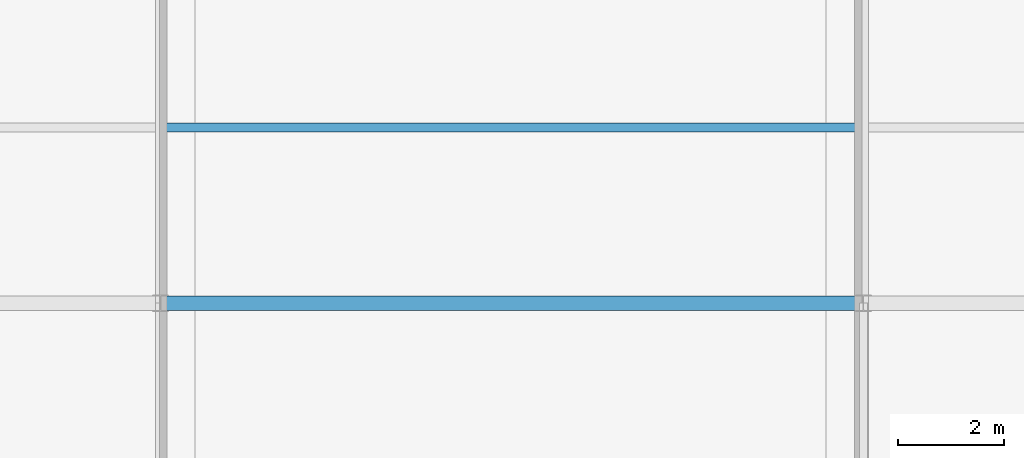
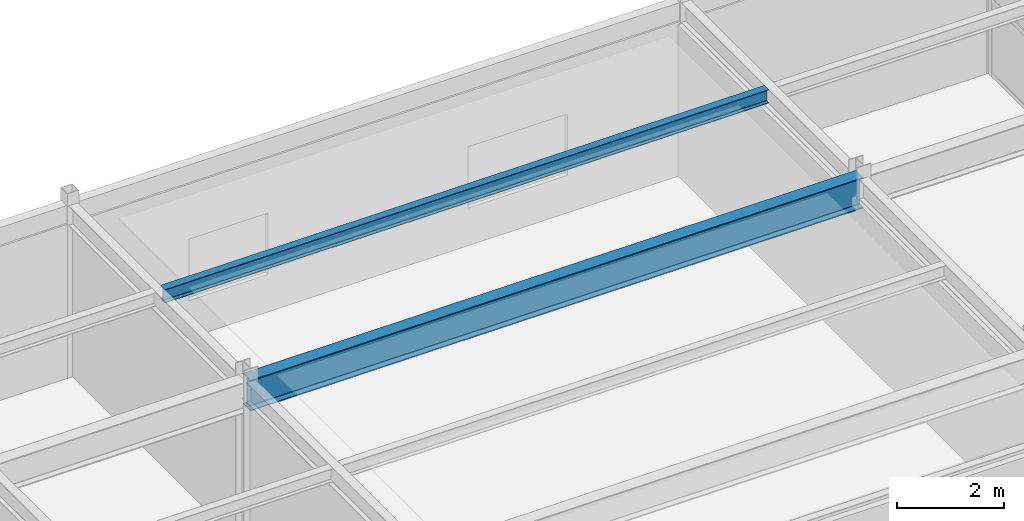
# One storey, part 68 of 147: 2 beams.
"""IFC4 building model written with IfcOpenShell, lengths in metres."""

from ifc_helpers import new_model, si_unit, direction, frame, origin, origin_2d, place, context, subcontext, project, spatial, i_section, extrude, material, material_profile, profile_set, type_object, element, save


model = new_model("IFC4")

# Units and contexts
model_context = context("Model", 3, precision=1e-05, world=origin(), true_north=direction((0.0, 1.0)))
body_context = subcontext(model_context, "Body", "Model", "MODEL_VIEW")
ifc_project = project(units=[si_unit("LENGTHUNIT", "METRE"), si_unit("AREAUNIT", "SQUARE_METRE"), si_unit("VOLUMEUNIT", "CUBIC_METRE"), si_unit("PLANEANGLEUNIT", "RADIAN"), si_unit("MASSUNIT", "GRAM", prefix="KILO")], contexts=[model_context])

# Site, building, storey
site_placement = place(None, origin())
site = spatial("IfcSite", under=ifc_project, at=site_placement, CompositionType="ELEMENT")
building_placement = place(site_placement, origin())
building = spatial("IfcBuilding", under=site, at=building_placement, Name="Karori Crest Natural Sciences Institute", CompositionType="ELEMENT")
storey_placement = place(building_placement, frame((0.0, 0.0, 9.10009765625)))
storey = spatial("IfcBuildingStorey", under=building, at=storey_placement, Name="L02", CompositionType="ELEMENT", Elevation=9.10009765625)

# Beams
ifc_material = material(Name="Structural steel AS/NZS 3679.1 Grade 350", Category="steel")
ifc_material_profile_1 = material_profile(ifc_material, i_section(OverallWidth=0.27490234375, OverallDepth=0.699951171875, WebThickness=0.010009765625, FlangeThickness=0.02001953125, FilletRadius=0.013916015625, at=origin_2d()), Name="700WB150")
ifc_profile_set_1 = profile_set([ifc_material_profile_1], Name="Structural steel AS/NZS 3679.1 Grade 350")
beam_type_1 = type_object("IfcBeamType", Name="BT-03", PredefinedType="BEAM", material=ifc_profile_set_1)
beam_1_placement = place(storey_placement, frame((7.39990234375, 66.800048828125, 3.56982421875), z_axis=(1.0, 0.0, 0.0), x_axis=(0.0, 1.0, 0.0)))
element("IfcBeam", 1, at=beam_1_placement, inside=storey, type_object=beam_type_1, Name="Beam B-1091", PredefinedType="BEAM", context=body_context, shape_type="SweptSolid", body=[
    extrude(i_section(OverallWidth=0.27490234375, OverallDepth=0.699951171875, WebThickness=0.010009765625, FlangeThickness=0.02001953125, FilletRadius=0.013916015625, at=origin_2d()), origin(), (0.0, 0.0, 1.0), 13.2001953125),
])
ifc_material_profile_2 = material_profile(ifc_material, i_section(OverallWidth=0.166015625, OverallDepth=0.306884765625, WebThickness=0.006591796875, FlangeThickness=0.01171875, FilletRadius=0.010986328125, at=origin_2d()), Name="310UB46.2")
ifc_profile_set_2 = profile_set([ifc_material_profile_2], Name="Structural steel AS/NZS 3679.1 Grade 350")
beam_type_2 = type_object("IfcBeamType", Name="BT-09", PredefinedType="BEAM", material=ifc_profile_set_2)
beam_2_placement = place(storey_placement, frame((7.49560546875, 70.10009765625, 3.766357421875), z_axis=(1.0, 0.0, 0.0), x_axis=(0.0, 1.0, 0.0)))
element("IfcBeam", 2, at=beam_2_placement, inside=storey, type_object=beam_type_2, Name="Beam B-1135", PredefinedType="BEAM", context=body_context, shape_type="SweptSolid", body=[
    extrude(i_section(OverallWidth=0.166015625, OverallDepth=0.306884765625, WebThickness=0.006591796875, FlangeThickness=0.01171875, FilletRadius=0.010986328125, at=origin_2d()), origin(), (0.0, 0.0, 1.0), 13.0087890625),
])

save(model, "model.ifc")
